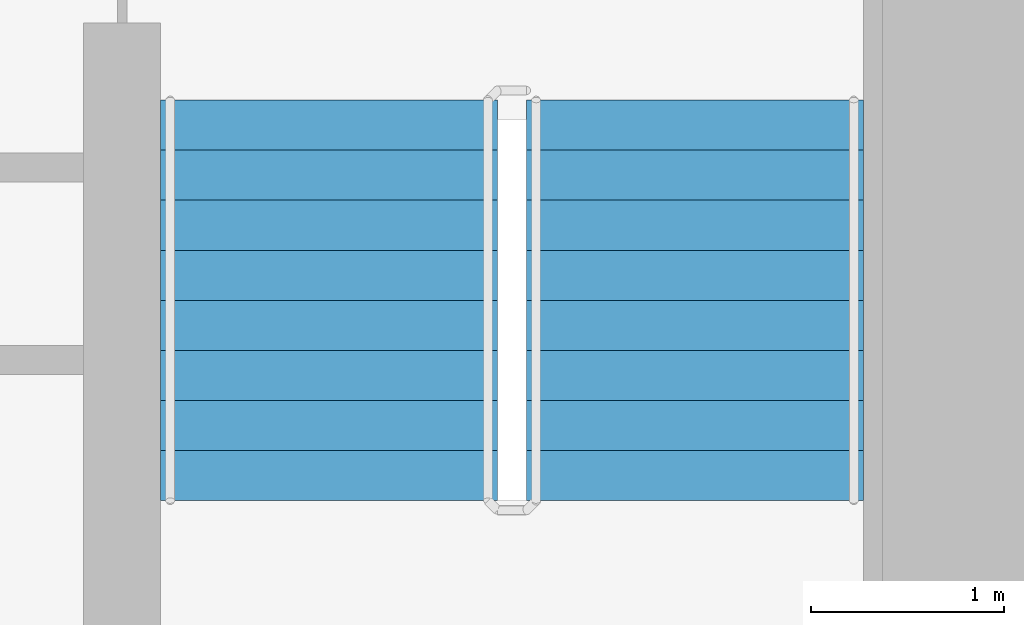
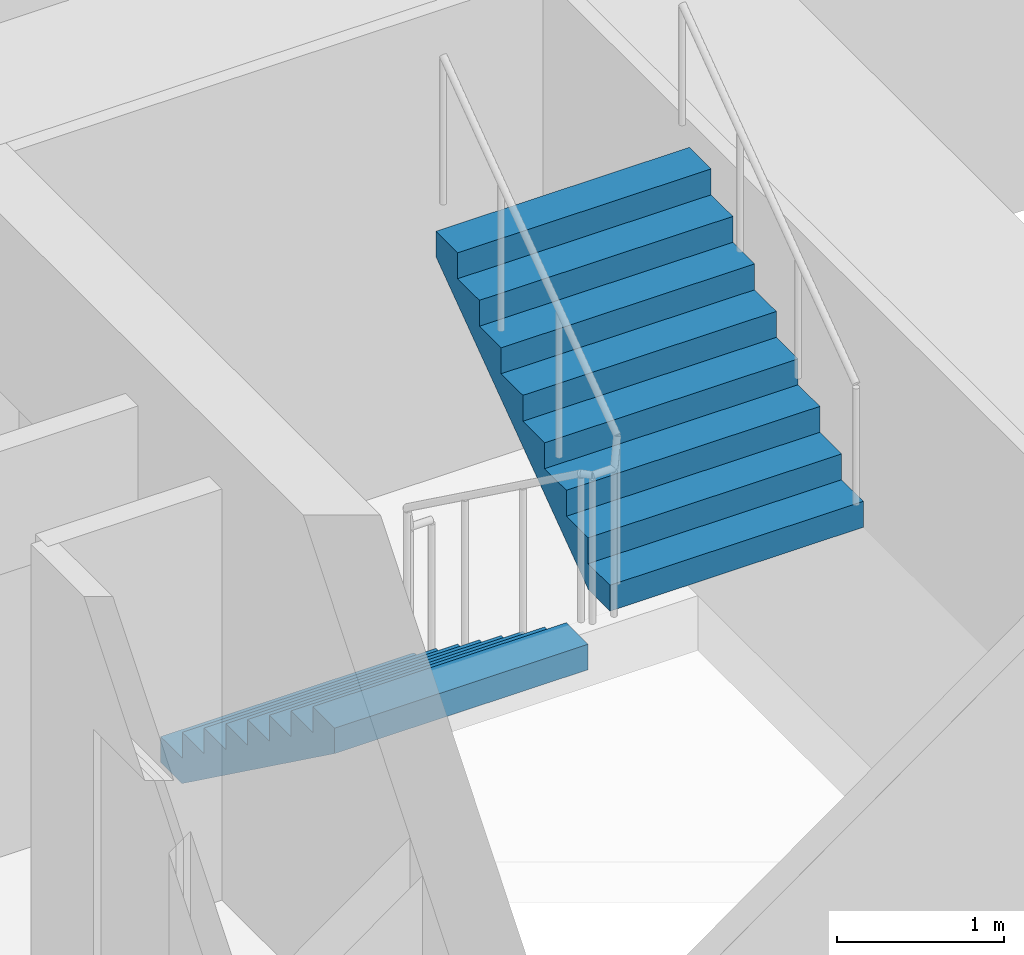
# One storey, part 18 of 21: 2 stair flights, 1 element without a shape of its own.
"""IFC4 building model written with IfcOpenShell, lengths in metres."""

from ifc_helpers import new_model, si_unit, direction, frame, origin, place, context, subcontext, project, spatial, faceted_brep, material, type_object, element, aggregate, save


model = new_model("IFC4")

# Units and contexts
model_context = context("Model", 3, precision=1e-05, world=origin(), true_north=direction((0.0, 1.0)))
body_context = subcontext(model_context, "Body", "Model", "MODEL_VIEW")
ifc_project = project(units=[si_unit("LENGTHUNIT", "METRE"), si_unit("AREAUNIT", "SQUARE_METRE"), si_unit("VOLUMEUNIT", "CUBIC_METRE"), si_unit("PLANEANGLEUNIT", "RADIAN"), si_unit("MASSUNIT", "GRAM", prefix="KILO")], contexts=[model_context])

# Site, building, storey
site_placement = place(None, origin())
site = spatial("IfcSite", under=ifc_project, at=site_placement, CompositionType="ELEMENT")
building_placement = place(site_placement, origin())
building = spatial("IfcBuilding", under=site, at=building_placement, Name="Ipe Terrace Towers", CompositionType="ELEMENT")
storey_placement = place(building_placement, frame((0.0, 0.0, 48.300048828125)))
storey = spatial("IfcBuildingStorey", under=building, at=storey_placement, Name="L12", CompositionType="ELEMENT", Elevation=48.300048828125)

# Stair, stair flights
ifc_material_1 = material(Name="Concrete C30/37", Category="concrete")
stair_type = type_object("IfcStairType", Name="Protected exit stair", PredefinedType="HALF_TURN_STAIR", material=ifc_material_1)
stair_placement = place(storey_placement, origin())
stair = element("IfcStair", 1, at=stair_placement, inside=storey, type_object=stair_type, Name="L12 Exit stair T2-C2", PredefinedType="HALF_TURN_STAIR")
ifc_material_2 = material(Name="Concrete C30/37", Category="concrete")
stair_flight_type = type_object("IfcStairFlightType", Name="Exit stair flight 1750", PredefinedType="STRAIGHT", material=ifc_material_2)
stair_flight_1_placement = place(storey_placement, frame((38.77490234375, -9.699951171875, 0.0), z_axis=(0.0, 0.0, 1.0), x_axis=(0.0, -1.0, 0.0)))
stair_flight_1 = element("IfcStairFlight", 2, at=stair_flight_1_placement, type_object=stair_flight_type, Name="T2-ST2 flight 1", NumberOfRisers=9, NumberOfTreads=8, PredefinedType="STRAIGHT", RiserHeight=0.188888889, TreadLength=0.26, context=body_context, shape_type="Brep", body=[
    faceted_brep([(0.255126953125, -0.875, 0.0), (2.080078125, -0.875, 1.325927734375), (2.080078125, -0.875, 1.51123046875), (1.820068359375, -0.875, 1.51123046875), (1.820068359375, -0.875, 1.322265625), (1.56005859375, -0.875, 1.322265625), (1.56005859375, -0.875, 1.13330078125), (1.300048828125, -0.875, 1.13330078125), (1.300048828125, -0.875, 0.9443359375), (1.0400390625, -0.875, 0.9443359375), (1.0400390625, -0.875, 0.755615234375), (0.780029296875, -0.875, 0.755615234375), (0.780029296875, -0.875, 0.566650390625), (0.52001953125, -0.875, 0.566650390625), (0.52001953125, -0.875, 0.377685546875), (0.260009765625, -0.875, 0.377685546875), (0.260009765625, -0.875, 0.18896484375), (0.0, -0.875, 0.18896484375), (0.0, -0.875, 0.0), (0.0, 0.875, 0.0), (0.0, 0.875, 0.18896484375), (0.260009765625, 0.875, 0.18896484375), (0.260009765625, 0.875, 0.377685546875), (0.52001953125, 0.875, 0.377685546875), (0.52001953125, 0.875, 0.566650390625), (0.780029296875, 0.875, 0.566650390625), (0.780029296875, 0.875, 0.755615234375), (1.0400390625, 0.875, 0.755615234375), (1.0400390625, 0.875, 0.9443359375), (1.300048828125, 0.875, 0.9443359375), (1.300048828125, 0.875, 1.13330078125), (1.56005859375, 0.875, 1.13330078125), (1.56005859375, 0.875, 1.322265625), (1.820068359375, 0.875, 1.322265625), (1.820068359375, 0.875, 1.51123046875), (2.080078125, 0.875, 1.51123046875), (2.080078125, 0.875, 1.325927734375), (0.255126953125, 0.875, 0.0), (0.0, -0.300048828125, 0.18896484375), (0.0, -0.1201171875, 0.18896484375), (0.0, -0.06005859375, 0.18896484375), (0.0, -0.030029296875, 0.18896484375), (0.0, -0.010009765625, 0.18896484375), (0.0, 0.0, 0.18896484375), (0.0, 0.010009765625, 0.18896484375), (0.0, 0.030029296875, 0.18896484375), (0.0, 0.06005859375, 0.18896484375), (0.0, 0.1201171875, 0.18896484375), (0.0, 0.300048828125, 0.18896484375), (0.0, 0.300048828125, 0.0), (0.0, 0.1201171875, 0.0), (0.0, 0.06005859375, 0.0), (0.0, 0.030029296875, 0.0), (0.0, 0.010009765625, 0.0), (0.0, 0.0, 0.0), (0.0, -0.010009765625, 0.0), (0.0, -0.030029296875, 0.0), (0.0, -0.06005859375, 0.0), (0.0, -0.1201171875, 0.0), (0.0, -0.300048828125, 0.0), (0.260009765625, -0.300048828125, 0.18896484375), (0.260009765625, -0.1201171875, 0.18896484375), (0.260009765625, -0.06005859375, 0.18896484375), (0.260009765625, -0.030029296875, 0.18896484375), (0.260009765625, -0.010009765625, 0.18896484375), (0.260009765625, 0.0, 0.18896484375), (0.260009765625, 0.010009765625, 0.18896484375), (0.260009765625, 0.030029296875, 0.18896484375), (0.260009765625, 0.06005859375, 0.18896484375), (0.260009765625, 0.1201171875, 0.18896484375), (0.260009765625, 0.300048828125, 0.18896484375), (0.260009765625, -0.300048828125, 0.377685546875), (0.260009765625, -0.1201171875, 0.377685546875), (0.260009765625, -0.06005859375, 0.377685546875), (0.260009765625, -0.030029296875, 0.377685546875), (0.260009765625, -0.010009765625, 0.377685546875), (0.260009765625, 0.0, 0.377685546875), (0.260009765625, 0.010009765625, 0.377685546875), (0.260009765625, 0.030029296875, 0.377685546875), (0.260009765625, 0.06005859375, 0.377685546875), (0.260009765625, 0.1201171875, 0.377685546875), (0.260009765625, 0.300048828125, 0.377685546875), (0.52001953125, -0.300048828125, 0.377685546875), (0.52001953125, -0.1201171875, 0.377685546875), (0.52001953125, -0.06005859375, 0.377685546875), (0.52001953125, -0.030029296875, 0.377685546875), (0.52001953125, -0.010009765625, 0.377685546875), (0.52001953125, 0.0, 0.377685546875), (0.52001953125, 0.010009765625, 0.377685546875), (0.52001953125, 0.030029296875, 0.377685546875), (0.52001953125, 0.06005859375, 0.377685546875), (0.52001953125, 0.1201171875, 0.377685546875), (0.52001953125, 0.300048828125, 0.377685546875), (0.52001953125, -0.300048828125, 0.566650390625), (0.52001953125, -0.1201171875, 0.566650390625), (0.52001953125, -0.06005859375, 0.566650390625), (0.52001953125, -0.030029296875, 0.566650390625), (0.52001953125, -0.010009765625, 0.566650390625), (0.52001953125, 0.0, 0.566650390625), (0.52001953125, 0.010009765625, 0.566650390625), (0.52001953125, 0.030029296875, 0.566650390625), (0.52001953125, 0.06005859375, 0.566650390625), (0.52001953125, 0.1201171875, 0.566650390625), (0.52001953125, 0.300048828125, 0.566650390625), (0.780029296875, -0.300048828125, 0.566650390625), (0.780029296875, -0.1201171875, 0.566650390625), (0.780029296875, -0.06005859375, 0.566650390625), (0.780029296875, -0.030029296875, 0.566650390625), (0.780029296875, -0.010009765625, 0.566650390625), (0.780029296875, 0.0, 0.566650390625), (0.780029296875, 0.010009765625, 0.566650390625), (0.780029296875, 0.030029296875, 0.566650390625), (0.780029296875, 0.06005859375, 0.566650390625), (0.780029296875, 0.1201171875, 0.566650390625), (0.780029296875, 0.300048828125, 0.566650390625), (0.780029296875, -0.300048828125, 0.755615234375), (0.780029296875, -0.1201171875, 0.755615234375), (0.780029296875, -0.06005859375, 0.755615234375), (0.780029296875, -0.030029296875, 0.755615234375), (0.780029296875, -0.010009765625, 0.755615234375), (0.780029296875, 0.0, 0.755615234375), (0.780029296875, 0.010009765625, 0.755615234375), (0.780029296875, 0.030029296875, 0.755615234375), (0.780029296875, 0.06005859375, 0.755615234375), (0.780029296875, 0.1201171875, 0.755615234375), (0.780029296875, 0.300048828125, 0.755615234375), (1.0400390625, -0.300048828125, 0.755615234375), (1.0400390625, -0.1201171875, 0.755615234375), (1.0400390625, -0.06005859375, 0.755615234375), (1.0400390625, -0.030029296875, 0.755615234375), (1.0400390625, -0.010009765625, 0.755615234375), (1.0400390625, 0.0, 0.755615234375), (1.0400390625, 0.010009765625, 0.755615234375), (1.0400390625, 0.030029296875, 0.755615234375), (1.0400390625, 0.06005859375, 0.755615234375), (1.0400390625, 0.1201171875, 0.755615234375), (1.0400390625, 0.300048828125, 0.755615234375), (1.0400390625, -0.300048828125, 0.9443359375), (1.0400390625, -0.1201171875, 0.9443359375), (1.0400390625, -0.06005859375, 0.9443359375), (1.0400390625, -0.030029296875, 0.9443359375), (1.0400390625, -0.010009765625, 0.9443359375), (1.0400390625, 0.0, 0.9443359375), (1.0400390625, 0.010009765625, 0.9443359375), (1.0400390625, 0.030029296875, 0.9443359375), (1.0400390625, 0.06005859375, 0.9443359375), (1.0400390625, 0.1201171875, 0.9443359375), (1.0400390625, 0.300048828125, 0.9443359375), (1.300048828125, -0.300048828125, 0.9443359375), (1.300048828125, -0.1201171875, 0.9443359375), (1.300048828125, -0.06005859375, 0.9443359375), (1.300048828125, -0.030029296875, 0.9443359375), (1.300048828125, -0.010009765625, 0.9443359375), (1.300048828125, 0.0, 0.9443359375), (1.300048828125, 0.010009765625, 0.9443359375), (1.300048828125, 0.030029296875, 0.9443359375), (1.300048828125, 0.06005859375, 0.9443359375), (1.300048828125, 0.1201171875, 0.9443359375), (1.300048828125, 0.300048828125, 0.9443359375), (1.300048828125, -0.300048828125, 1.13330078125), (1.300048828125, -0.1201171875, 1.13330078125), (1.300048828125, -0.06005859375, 1.13330078125), (1.300048828125, -0.030029296875, 1.13330078125), (1.300048828125, -0.010009765625, 1.13330078125), (1.300048828125, 0.0, 1.13330078125), (1.300048828125, 0.010009765625, 1.13330078125), (1.300048828125, 0.030029296875, 1.13330078125), (1.300048828125, 0.06005859375, 1.13330078125), (1.300048828125, 0.1201171875, 1.13330078125), (1.300048828125, 0.300048828125, 1.13330078125), (1.56005859375, -0.300048828125, 1.13330078125), (1.56005859375, -0.1201171875, 1.13330078125), (1.56005859375, -0.06005859375, 1.13330078125), (1.56005859375, -0.030029296875, 1.13330078125), (1.56005859375, -0.010009765625, 1.13330078125), (1.56005859375, 0.0, 1.13330078125), (1.56005859375, 0.010009765625, 1.13330078125), (1.56005859375, 0.030029296875, 1.13330078125), (1.56005859375, 0.06005859375, 1.13330078125), (1.56005859375, 0.1201171875, 1.13330078125), (1.56005859375, 0.300048828125, 1.13330078125), (1.56005859375, -0.300048828125, 1.322265625), (1.56005859375, -0.1201171875, 1.322265625), (1.56005859375, -0.06005859375, 1.322265625), (1.56005859375, -0.030029296875, 1.322265625), (1.56005859375, -0.010009765625, 1.322265625), (1.56005859375, 0.0, 1.322265625), (1.56005859375, 0.010009765625, 1.322265625), (1.56005859375, 0.030029296875, 1.322265625), (1.56005859375, 0.06005859375, 1.322265625), (1.56005859375, 0.1201171875, 1.322265625), (1.56005859375, 0.300048828125, 1.322265625), (1.820068359375, -0.300048828125, 1.322265625), (1.820068359375, -0.1201171875, 1.322265625), (1.820068359375, -0.06005859375, 1.322265625), (1.820068359375, -0.030029296875, 1.322265625), (1.820068359375, -0.010009765625, 1.322265625), (1.820068359375, 0.0, 1.322265625), (1.820068359375, 0.010009765625, 1.322265625), (1.820068359375, 0.030029296875, 1.322265625), (1.820068359375, 0.06005859375, 1.322265625), (1.820068359375, 0.1201171875, 1.322265625), (1.820068359375, 0.300048828125, 1.322265625), (1.820068359375, -0.300048828125, 1.51123046875), (1.820068359375, -0.1201171875, 1.51123046875), (1.820068359375, -0.06005859375, 1.51123046875), (1.820068359375, -0.030029296875, 1.51123046875), (1.820068359375, -0.010009765625, 1.51123046875), (1.820068359375, 0.0, 1.51123046875), (1.820068359375, 0.010009765625, 1.51123046875), (1.820068359375, 0.030029296875, 1.51123046875), (1.820068359375, 0.06005859375, 1.51123046875), (1.820068359375, 0.1201171875, 1.51123046875), (1.820068359375, 0.300048828125, 1.51123046875), (2.080078125, -0.300048828125, 1.51123046875), (2.080078125, -0.1201171875, 1.51123046875), (2.080078125, -0.06005859375, 1.51123046875), (2.080078125, -0.030029296875, 1.51123046875), (2.080078125, -0.010009765625, 1.51123046875), (2.080078125, 0.0, 1.51123046875), (2.080078125, 0.010009765625, 1.51123046875), (2.080078125, 0.030029296875, 1.51123046875), (2.080078125, 0.06005859375, 1.51123046875), (2.080078125, 0.1201171875, 1.51123046875), (2.080078125, 0.300048828125, 1.51123046875), (2.080078125, -0.300048828125, 1.325927734375), (2.080078125, -0.1201171875, 1.325927734375), (2.080078125, -0.06005859375, 1.325927734375), (2.080078125, -0.030029296875, 1.325927734375), (2.080078125, -0.010009765625, 1.325927734375), (2.080078125, 0.0, 1.325927734375), (2.080078125, 0.010009765625, 1.325927734375), (2.080078125, 0.030029296875, 1.325927734375), (2.080078125, 0.06005859375, 1.325927734375), (2.080078125, 0.1201171875, 1.325927734375), (2.080078125, 0.300048828125, 1.325927734375), (0.255126953125, -0.300048828125, 0.0), (0.255126953125, -0.1201171875, 0.0), (0.255126953125, -0.06005859375, 0.0), (0.255126953125, -0.030029296875, 0.0), (0.255126953125, -0.010009765625, 0.0), (0.255126953125, 0.0, 0.0), (0.255126953125, 0.010009765625, 0.0), (0.255126953125, 0.030029296875, 0.0), (0.255126953125, 0.06005859375, 0.0), (0.255126953125, 0.1201171875, 0.0), (0.255126953125, 0.300048828125, 0.0)], [[[0, 1, 2, 3, 4, 5, 6, 7, 8, 9, 10, 11, 12, 13, 14, 15, 16, 17, 18]], [[19, 20, 21, 22, 23, 24, 25, 26, 27, 28, 29, 30, 31, 32, 33, 34, 35, 36, 37]], [[17, 38, 39, 40, 41, 42, 43, 44, 45, 46, 47, 48, 20, 19, 49, 50, 51, 52, 53, 54, 55, 56, 57, 58, 59, 18]], [[16, 60, 61, 62, 63, 64, 65, 66, 67, 68, 69, 70, 21, 20, 48, 47, 46, 45, 44, 43, 42, 41, 40, 39, 38, 17]], [[15, 71, 72, 73, 74, 75, 76, 77, 78, 79, 80, 81, 22, 21, 70, 69, 68, 67, 66, 65, 64, 63, 62, 61, 60, 16]], [[14, 82, 83, 84, 85, 86, 87, 88, 89, 90, 91, 92, 23, 22, 81, 80, 79, 78, 77, 76, 75, 74, 73, 72, 71, 15]], [[13, 93, 94, 95, 96, 97, 98, 99, 100, 101, 102, 103, 24, 23, 92, 91, 90, 89, 88, 87, 86, 85, 84, 83, 82, 14]], [[12, 104, 105, 106, 107, 108, 109, 110, 111, 112, 113, 114, 25, 24, 103, 102, 101, 100, 99, 98, 97, 96, 95, 94, 93, 13]], [[11, 115, 116, 117, 118, 119, 120, 121, 122, 123, 124, 125, 26, 25, 114, 113, 112, 111, 110, 109, 108, 107, 106, 105, 104, 12]], [[10, 126, 127, 128, 129, 130, 131, 132, 133, 134, 135, 136, 27, 26, 125, 124, 123, 122, 121, 120, 119, 118, 117, 116, 115, 11]], [[9, 137, 138, 139, 140, 141, 142, 143, 144, 145, 146, 147, 28, 27, 136, 135, 134, 133, 132, 131, 130, 129, 128, 127, 126, 10]], [[8, 148, 149, 150, 151, 152, 153, 154, 155, 156, 157, 158, 29, 28, 147, 146, 145, 144, 143, 142, 141, 140, 139, 138, 137, 9]], [[7, 159, 160, 161, 162, 163, 164, 165, 166, 167, 168, 169, 30, 29, 158, 157, 156, 155, 154, 153, 152, 151, 150, 149, 148, 8]], [[6, 170, 171, 172, 173, 174, 175, 176, 177, 178, 179, 180, 31, 30, 169, 168, 167, 166, 165, 164, 163, 162, 161, 160, 159, 7]], [[5, 181, 182, 183, 184, 185, 186, 187, 188, 189, 190, 191, 32, 31, 180, 179, 178, 177, 176, 175, 174, 173, 172, 171, 170, 6]], [[4, 192, 193, 194, 195, 196, 197, 198, 199, 200, 201, 202, 33, 32, 191, 190, 189, 188, 187, 186, 185, 184, 183, 182, 181, 5]], [[3, 203, 204, 205, 206, 207, 208, 209, 210, 211, 212, 213, 34, 33, 202, 201, 200, 199, 198, 197, 196, 195, 194, 193, 192, 4]], [[2, 214, 215, 216, 217, 218, 219, 220, 221, 222, 223, 224, 35, 34, 213, 212, 211, 210, 209, 208, 207, 206, 205, 204, 203, 3]], [[1, 225, 226, 227, 228, 229, 230, 231, 232, 233, 234, 235, 36, 35, 224, 223, 222, 221, 220, 219, 218, 217, 216, 215, 214, 2]], [[0, 236, 237, 238, 239, 240, 241, 242, 243, 244, 245, 246, 37, 36, 235, 234, 233, 232, 231, 230, 229, 228, 227, 226, 225, 1]], [[18, 59, 58, 57, 56, 55, 54, 53, 52, 51, 50, 49, 19, 37, 246, 245, 244, 243, 242, 241, 240, 239, 238, 237, 236, 0]]]),
])
stair_flight_2_placement = place(storey_placement, frame((40.675048828125, -11.780029296875, 1.699951171875), z_axis=(0.0, 0.0, 1.0), x_axis=(0.0, 1.0, 0.0)))
stair_flight_2 = element("IfcStairFlight", 3, at=stair_flight_2_placement, type_object=stair_flight_type, Name="T2-ST2 flight 2", NumberOfRisers=9, NumberOfTreads=8, PredefinedType="STRAIGHT", RiserHeight=0.188888889, TreadLength=0.26, context=body_context, shape_type="Brep", body=[
    faceted_brep([(0.255126953125, -0.875, 0.0), (2.080078125, -0.875, 1.325927734375), (2.080078125, -0.875, 1.51123046875), (1.820068359375, -0.875, 1.51123046875), (1.820068359375, -0.875, 1.322265625), (1.56005859375, -0.875, 1.322265625), (1.56005859375, -0.875, 1.13330078125), (1.300048828125, -0.875, 1.13330078125), (1.300048828125, -0.875, 0.9443359375), (1.0400390625, -0.875, 0.9443359375), (1.0400390625, -0.875, 0.755615234375), (0.780029296875, -0.875, 0.755615234375), (0.780029296875, -0.875, 0.566650390625), (0.52001953125, -0.875, 0.566650390625), (0.52001953125, -0.875, 0.377685546875), (0.260009765625, -0.875, 0.377685546875), (0.260009765625, -0.875, 0.18896484375), (0.0, -0.875, 0.18896484375), (0.0, -0.875, 0.0), (0.0, 0.875, 0.0), (0.0, 0.875, 0.18896484375), (0.260009765625, 0.875, 0.18896484375), (0.260009765625, 0.875, 0.377685546875), (0.52001953125, 0.875, 0.377685546875), (0.52001953125, 0.875, 0.566650390625), (0.780029296875, 0.875, 0.566650390625), (0.780029296875, 0.875, 0.755615234375), (1.0400390625, 0.875, 0.755615234375), (1.0400390625, 0.875, 0.9443359375), (1.300048828125, 0.875, 0.9443359375), (1.300048828125, 0.875, 1.13330078125), (1.56005859375, 0.875, 1.13330078125), (1.56005859375, 0.875, 1.322265625), (1.820068359375, 0.875, 1.322265625), (1.820068359375, 0.875, 1.51123046875), (2.080078125, 0.875, 1.51123046875), (2.080078125, 0.875, 1.325927734375), (0.255126953125, 0.875, 0.0), (0.0, -0.300048828125, 0.18896484375), (0.0, -0.1201171875, 0.18896484375), (0.0, -0.06005859375, 0.18896484375), (0.0, -0.030029296875, 0.18896484375), (0.0, -0.010009765625, 0.18896484375), (0.0, 0.0, 0.18896484375), (0.0, 0.010009765625, 0.18896484375), (0.0, 0.030029296875, 0.18896484375), (0.0, 0.06005859375, 0.18896484375), (0.0, 0.1201171875, 0.18896484375), (0.0, 0.300048828125, 0.18896484375), (0.0, 0.300048828125, 0.0), (0.0, 0.1201171875, 0.0), (0.0, 0.06005859375, 0.0), (0.0, 0.030029296875, 0.0), (0.0, 0.010009765625, 0.0), (0.0, 0.0, 0.0), (0.0, -0.010009765625, 0.0), (0.0, -0.030029296875, 0.0), (0.0, -0.06005859375, 0.0), (0.0, -0.1201171875, 0.0), (0.0, -0.300048828125, 0.0), (0.260009765625, -0.300048828125, 0.18896484375), (0.260009765625, -0.1201171875, 0.18896484375), (0.260009765625, -0.06005859375, 0.18896484375), (0.260009765625, -0.030029296875, 0.18896484375), (0.260009765625, -0.010009765625, 0.18896484375), (0.260009765625, 0.0, 0.18896484375), (0.260009765625, 0.010009765625, 0.18896484375), (0.260009765625, 0.030029296875, 0.18896484375), (0.260009765625, 0.06005859375, 0.18896484375), (0.260009765625, 0.1201171875, 0.18896484375), (0.260009765625, 0.300048828125, 0.18896484375), (0.260009765625, -0.300048828125, 0.377685546875), (0.260009765625, -0.1201171875, 0.377685546875), (0.260009765625, -0.06005859375, 0.377685546875), (0.260009765625, -0.030029296875, 0.377685546875), (0.260009765625, -0.010009765625, 0.377685546875), (0.260009765625, 0.0, 0.377685546875), (0.260009765625, 0.010009765625, 0.377685546875), (0.260009765625, 0.030029296875, 0.377685546875), (0.260009765625, 0.06005859375, 0.377685546875), (0.260009765625, 0.1201171875, 0.377685546875), (0.260009765625, 0.300048828125, 0.377685546875), (0.52001953125, -0.300048828125, 0.377685546875), (0.52001953125, -0.1201171875, 0.377685546875), (0.52001953125, -0.06005859375, 0.377685546875), (0.52001953125, -0.030029296875, 0.377685546875), (0.52001953125, -0.010009765625, 0.377685546875), (0.52001953125, 0.0, 0.377685546875), (0.52001953125, 0.010009765625, 0.377685546875), (0.52001953125, 0.030029296875, 0.377685546875), (0.52001953125, 0.06005859375, 0.377685546875), (0.52001953125, 0.1201171875, 0.377685546875), (0.52001953125, 0.300048828125, 0.377685546875), (0.52001953125, -0.300048828125, 0.566650390625), (0.52001953125, -0.1201171875, 0.566650390625), (0.52001953125, -0.06005859375, 0.566650390625), (0.52001953125, -0.030029296875, 0.566650390625), (0.52001953125, -0.010009765625, 0.566650390625), (0.52001953125, 0.0, 0.566650390625), (0.52001953125, 0.010009765625, 0.566650390625), (0.52001953125, 0.030029296875, 0.566650390625), (0.52001953125, 0.06005859375, 0.566650390625), (0.52001953125, 0.1201171875, 0.566650390625), (0.52001953125, 0.300048828125, 0.566650390625), (0.780029296875, -0.300048828125, 0.566650390625), (0.780029296875, -0.1201171875, 0.566650390625), (0.780029296875, -0.06005859375, 0.566650390625), (0.780029296875, -0.030029296875, 0.566650390625), (0.780029296875, -0.010009765625, 0.566650390625), (0.780029296875, 0.0, 0.566650390625), (0.780029296875, 0.010009765625, 0.566650390625), (0.780029296875, 0.030029296875, 0.566650390625), (0.780029296875, 0.06005859375, 0.566650390625), (0.780029296875, 0.1201171875, 0.566650390625), (0.780029296875, 0.300048828125, 0.566650390625), (0.780029296875, -0.300048828125, 0.755615234375), (0.780029296875, -0.1201171875, 0.755615234375), (0.780029296875, -0.06005859375, 0.755615234375), (0.780029296875, -0.030029296875, 0.755615234375), (0.780029296875, -0.010009765625, 0.755615234375), (0.780029296875, 0.0, 0.755615234375), (0.780029296875, 0.010009765625, 0.755615234375), (0.780029296875, 0.030029296875, 0.755615234375), (0.780029296875, 0.06005859375, 0.755615234375), (0.780029296875, 0.1201171875, 0.755615234375), (0.780029296875, 0.300048828125, 0.755615234375), (1.0400390625, -0.300048828125, 0.755615234375), (1.0400390625, -0.1201171875, 0.755615234375), (1.0400390625, -0.06005859375, 0.755615234375), (1.0400390625, -0.030029296875, 0.755615234375), (1.0400390625, -0.010009765625, 0.755615234375), (1.0400390625, 0.0, 0.755615234375), (1.0400390625, 0.010009765625, 0.755615234375), (1.0400390625, 0.030029296875, 0.755615234375), (1.0400390625, 0.06005859375, 0.755615234375), (1.0400390625, 0.1201171875, 0.755615234375), (1.0400390625, 0.300048828125, 0.755615234375), (1.0400390625, -0.300048828125, 0.9443359375), (1.0400390625, -0.1201171875, 0.9443359375), (1.0400390625, -0.06005859375, 0.9443359375), (1.0400390625, -0.030029296875, 0.9443359375), (1.0400390625, -0.010009765625, 0.9443359375), (1.0400390625, 0.0, 0.9443359375), (1.0400390625, 0.010009765625, 0.9443359375), (1.0400390625, 0.030029296875, 0.9443359375), (1.0400390625, 0.06005859375, 0.9443359375), (1.0400390625, 0.1201171875, 0.9443359375), (1.0400390625, 0.300048828125, 0.9443359375), (1.300048828125, -0.300048828125, 0.9443359375), (1.300048828125, -0.1201171875, 0.9443359375), (1.300048828125, -0.06005859375, 0.9443359375), (1.300048828125, -0.030029296875, 0.9443359375), (1.300048828125, -0.010009765625, 0.9443359375), (1.300048828125, 0.0, 0.9443359375), (1.300048828125, 0.010009765625, 0.9443359375), (1.300048828125, 0.030029296875, 0.9443359375), (1.300048828125, 0.06005859375, 0.9443359375), (1.300048828125, 0.1201171875, 0.9443359375), (1.300048828125, 0.300048828125, 0.9443359375), (1.300048828125, -0.300048828125, 1.13330078125), (1.300048828125, -0.1201171875, 1.13330078125), (1.300048828125, -0.06005859375, 1.13330078125), (1.300048828125, -0.030029296875, 1.13330078125), (1.300048828125, -0.010009765625, 1.13330078125), (1.300048828125, 0.0, 1.13330078125), (1.300048828125, 0.010009765625, 1.13330078125), (1.300048828125, 0.030029296875, 1.13330078125), (1.300048828125, 0.06005859375, 1.13330078125), (1.300048828125, 0.1201171875, 1.13330078125), (1.300048828125, 0.300048828125, 1.13330078125), (1.56005859375, -0.300048828125, 1.13330078125), (1.56005859375, -0.1201171875, 1.13330078125), (1.56005859375, -0.06005859375, 1.13330078125), (1.56005859375, -0.030029296875, 1.13330078125), (1.56005859375, -0.010009765625, 1.13330078125), (1.56005859375, 0.0, 1.13330078125), (1.56005859375, 0.010009765625, 1.13330078125), (1.56005859375, 0.030029296875, 1.13330078125), (1.56005859375, 0.06005859375, 1.13330078125), (1.56005859375, 0.1201171875, 1.13330078125), (1.56005859375, 0.300048828125, 1.13330078125), (1.56005859375, -0.300048828125, 1.322265625), (1.56005859375, -0.1201171875, 1.322265625), (1.56005859375, -0.06005859375, 1.322265625), (1.56005859375, -0.030029296875, 1.322265625), (1.56005859375, -0.010009765625, 1.322265625), (1.56005859375, 0.0, 1.322265625), (1.56005859375, 0.010009765625, 1.322265625), (1.56005859375, 0.030029296875, 1.322265625), (1.56005859375, 0.06005859375, 1.322265625), (1.56005859375, 0.1201171875, 1.322265625), (1.56005859375, 0.300048828125, 1.322265625), (1.820068359375, -0.300048828125, 1.322265625), (1.820068359375, -0.1201171875, 1.322265625), (1.820068359375, -0.06005859375, 1.322265625), (1.820068359375, -0.030029296875, 1.322265625), (1.820068359375, -0.010009765625, 1.322265625), (1.820068359375, 0.0, 1.322265625), (1.820068359375, 0.010009765625, 1.322265625), (1.820068359375, 0.030029296875, 1.322265625), (1.820068359375, 0.06005859375, 1.322265625), (1.820068359375, 0.1201171875, 1.322265625), (1.820068359375, 0.300048828125, 1.322265625), (1.820068359375, -0.300048828125, 1.51123046875), (1.820068359375, -0.1201171875, 1.51123046875), (1.820068359375, -0.06005859375, 1.51123046875), (1.820068359375, -0.030029296875, 1.51123046875), (1.820068359375, -0.010009765625, 1.51123046875), (1.820068359375, 0.0, 1.51123046875), (1.820068359375, 0.010009765625, 1.51123046875), (1.820068359375, 0.030029296875, 1.51123046875), (1.820068359375, 0.06005859375, 1.51123046875), (1.820068359375, 0.1201171875, 1.51123046875), (1.820068359375, 0.300048828125, 1.51123046875), (2.080078125, -0.300048828125, 1.51123046875), (2.080078125, -0.1201171875, 1.51123046875), (2.080078125, -0.06005859375, 1.51123046875), (2.080078125, -0.030029296875, 1.51123046875), (2.080078125, -0.010009765625, 1.51123046875), (2.080078125, 0.0, 1.51123046875), (2.080078125, 0.010009765625, 1.51123046875), (2.080078125, 0.030029296875, 1.51123046875), (2.080078125, 0.06005859375, 1.51123046875), (2.080078125, 0.1201171875, 1.51123046875), (2.080078125, 0.300048828125, 1.51123046875), (2.080078125, -0.300048828125, 1.325927734375), (2.080078125, -0.1201171875, 1.325927734375), (2.080078125, -0.06005859375, 1.325927734375), (2.080078125, -0.030029296875, 1.325927734375), (2.080078125, -0.010009765625, 1.325927734375), (2.080078125, 0.0, 1.325927734375), (2.080078125, 0.010009765625, 1.325927734375), (2.080078125, 0.030029296875, 1.325927734375), (2.080078125, 0.06005859375, 1.325927734375), (2.080078125, 0.1201171875, 1.325927734375), (2.080078125, 0.300048828125, 1.325927734375), (0.255126953125, -0.300048828125, 0.0), (0.255126953125, -0.1201171875, 0.0), (0.255126953125, -0.06005859375, 0.0), (0.255126953125, -0.030029296875, 0.0), (0.255126953125, -0.010009765625, 0.0), (0.255126953125, 0.0, 0.0), (0.255126953125, 0.010009765625, 0.0), (0.255126953125, 0.030029296875, 0.0), (0.255126953125, 0.06005859375, 0.0), (0.255126953125, 0.1201171875, 0.0), (0.255126953125, 0.300048828125, 0.0)], [[[0, 1, 2, 3, 4, 5, 6, 7, 8, 9, 10, 11, 12, 13, 14, 15, 16, 17, 18]], [[19, 20, 21, 22, 23, 24, 25, 26, 27, 28, 29, 30, 31, 32, 33, 34, 35, 36, 37]], [[17, 38, 39, 40, 41, 42, 43, 44, 45, 46, 47, 48, 20, 19, 49, 50, 51, 52, 53, 54, 55, 56, 57, 58, 59, 18]], [[16, 60, 61, 62, 63, 64, 65, 66, 67, 68, 69, 70, 21, 20, 48, 47, 46, 45, 44, 43, 42, 41, 40, 39, 38, 17]], [[15, 71, 72, 73, 74, 75, 76, 77, 78, 79, 80, 81, 22, 21, 70, 69, 68, 67, 66, 65, 64, 63, 62, 61, 60, 16]], [[14, 82, 83, 84, 85, 86, 87, 88, 89, 90, 91, 92, 23, 22, 81, 80, 79, 78, 77, 76, 75, 74, 73, 72, 71, 15]], [[13, 93, 94, 95, 96, 97, 98, 99, 100, 101, 102, 103, 24, 23, 92, 91, 90, 89, 88, 87, 86, 85, 84, 83, 82, 14]], [[12, 104, 105, 106, 107, 108, 109, 110, 111, 112, 113, 114, 25, 24, 103, 102, 101, 100, 99, 98, 97, 96, 95, 94, 93, 13]], [[11, 115, 116, 117, 118, 119, 120, 121, 122, 123, 124, 125, 26, 25, 114, 113, 112, 111, 110, 109, 108, 107, 106, 105, 104, 12]], [[10, 126, 127, 128, 129, 130, 131, 132, 133, 134, 135, 136, 27, 26, 125, 124, 123, 122, 121, 120, 119, 118, 117, 116, 115, 11]], [[9, 137, 138, 139, 140, 141, 142, 143, 144, 145, 146, 147, 28, 27, 136, 135, 134, 133, 132, 131, 130, 129, 128, 127, 126, 10]], [[8, 148, 149, 150, 151, 152, 153, 154, 155, 156, 157, 158, 29, 28, 147, 146, 145, 144, 143, 142, 141, 140, 139, 138, 137, 9]], [[7, 159, 160, 161, 162, 163, 164, 165, 166, 167, 168, 169, 30, 29, 158, 157, 156, 155, 154, 153, 152, 151, 150, 149, 148, 8]], [[6, 170, 171, 172, 173, 174, 175, 176, 177, 178, 179, 180, 31, 30, 169, 168, 167, 166, 165, 164, 163, 162, 161, 160, 159, 7]], [[5, 181, 182, 183, 184, 185, 186, 187, 188, 189, 190, 191, 32, 31, 180, 179, 178, 177, 176, 175, 174, 173, 172, 171, 170, 6]], [[4, 192, 193, 194, 195, 196, 197, 198, 199, 200, 201, 202, 33, 32, 191, 190, 189, 188, 187, 186, 185, 184, 183, 182, 181, 5]], [[3, 203, 204, 205, 206, 207, 208, 209, 210, 211, 212, 213, 34, 33, 202, 201, 200, 199, 198, 197, 196, 195, 194, 193, 192, 4]], [[2, 214, 215, 216, 217, 218, 219, 220, 221, 222, 223, 224, 35, 34, 213, 212, 211, 210, 209, 208, 207, 206, 205, 204, 203, 3]], [[1, 225, 226, 227, 228, 229, 230, 231, 232, 233, 234, 235, 36, 35, 224, 223, 222, 221, 220, 219, 218, 217, 216, 215, 214, 2]], [[0, 236, 237, 238, 239, 240, 241, 242, 243, 244, 245, 246, 37, 36, 235, 234, 233, 232, 231, 230, 229, 228, 227, 226, 225, 1]], [[18, 59, 58, 57, 56, 55, 54, 53, 52, 51, 50, 49, 19, 37, 246, 245, 244, 243, 242, 241, 240, 239, 238, 237, 236, 0]]]),
])
aggregate(stair, [stair_flight_1, stair_flight_2])

save(model, "model.ifc")
